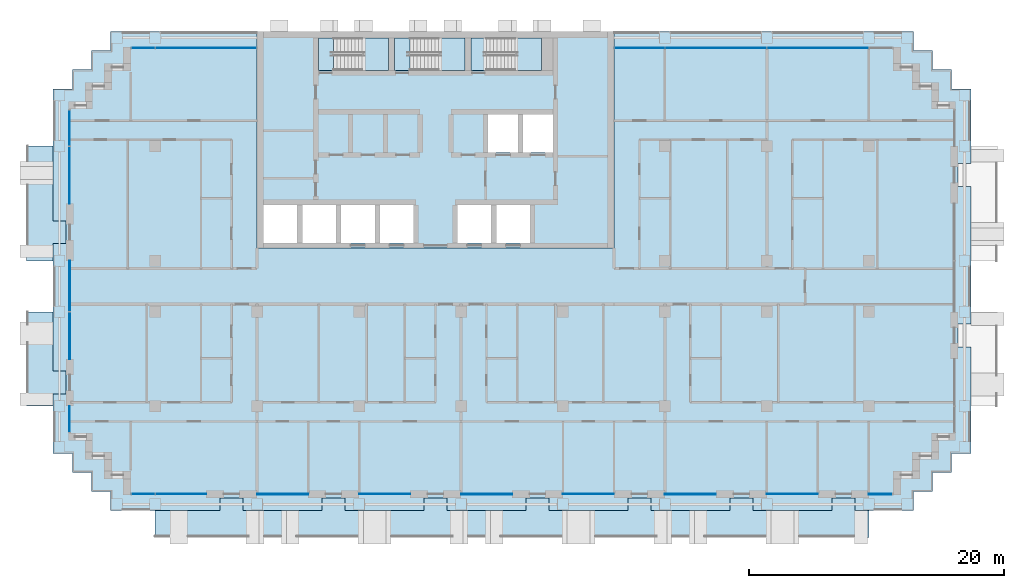
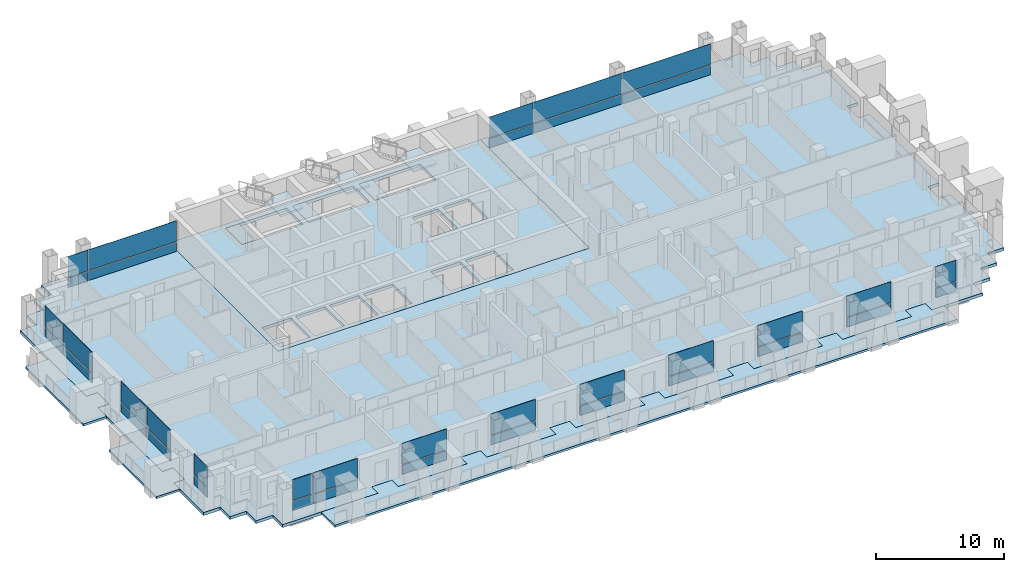
# One storey, part 7 of 17: 38 plates, 11 slabs, 16 elements without a shape of their own.
"""IFC4 building model written with IfcOpenShell, lengths in metres."""

from ifc_helpers import new_model, si_unit, direction, frame, origin, origin_2d, place, context, subcontext, project, spatial, polyline, rectangle, outline, extrude, material, layer, layer_set, type_object, element, aggregate, save


model = new_model("IFC4")

# Units and contexts
model_context = context("Model", 3, precision=1e-05, world=origin(), true_north=direction((0.0, 1.0)))
body_context = subcontext(model_context, "Body", "Model", "MODEL_VIEW")
ifc_project = project(units=[si_unit("LENGTHUNIT", "METRE"), si_unit("AREAUNIT", "SQUARE_METRE"), si_unit("VOLUMEUNIT", "CUBIC_METRE"), si_unit("PLANEANGLEUNIT", "RADIAN"), si_unit("MASSUNIT", "GRAM", prefix="KILO")], contexts=[model_context])

# Site, building, storey
site_placement = place(None, origin())
site = spatial("IfcSite", under=ifc_project, at=site_placement, CompositionType="ELEMENT")
building_placement = place(site_placement, origin())
building = spatial("IfcBuilding", under=site, at=building_placement, Name="Vidyagriha Tower", CompositionType="ELEMENT")
storey_placement = place(building_placement, frame((0.0, 0.0, 87.10009765625)))
storey = spatial("IfcBuildingStorey", under=building, at=storey_placement, Name="L22", CompositionType="ELEMENT", Elevation=87.10009765625)

# Curtain wall, plate
ifc_material_1 = material(Name="Aluminium and glass curtain wall", Category="aluminium")
curtain_wall_type = type_object("IfcCurtainWallType", Name="Dwelling skin unitised curtain wall", PredefinedType="USERDEFINED", material=ifc_material_1)
curtain_wall_1_placement = place(storey_placement, origin())
curtain_wall_1 = element("IfcCurtainWall", 1, at=curtain_wall_1_placement, inside=storey, type_object=curtain_wall_type, Name="CW1 dwelling skin", ObjectType="UNITISED", PredefinedType="USERDEFINED")
ifc_material_2 = material(Name="Glass dark ceramic-fritted spandrel", Category="glass")
ifc_layer_1 = layer(ifc_material_2, 0.0400390625)
ifc_layer_set_1 = layer_set([ifc_layer_1], Name="Glass dark ceramic-fritted spandrel")
plate_type_1 = type_object("IfcPlateType", Name="Ceramic-fritted spandrel panel", PredefinedType="CURTAIN_PANEL", material=ifc_layer_set_1)
plate_1_placement = place(storey_placement, frame((22.0, 18.699951171875, -0.000244140625), z_axis=(0.0, 0.0, 1.0), x_axis=(-1.0, 0.0, 0.0)))
plate_1 = element("IfcPlate", 2, at=plate_1_placement, type_object=plate_type_1, Name="CW1 panel 3.1", PredefinedType="CURTAIN_PANEL", context=body_context, shape_type="SweptSolid", body=[
    extrude(rectangle(XDim=7.929931640625, YDim=0.0400390625, at=origin_2d()), origin(), (0.0, 0.0, 1.0), 0.85009765625),
])

curtain_wall_2_placement = place(storey_placement, origin())
curtain_wall_2 = element("IfcCurtainWall", 3, at=curtain_wall_2_placement, inside=storey, type_object=curtain_wall_type, Name="CW1 dwelling skin", ObjectType="UNITISED", PredefinedType="USERDEFINED")
plate_2_placement = place(storey_placement, frame((-18.017578125, 18.699951171875, -0.000244140625), z_axis=(0.0, 0.0, 1.0), x_axis=(-1.0, 0.0, 0.0)))
plate_2 = element("IfcPlate", 4, at=plate_2_placement, type_object=plate_type_1, Name="CW1 panel 1.1", PredefinedType="CURTAIN_PANEL", context=body_context, shape_type="SweptSolid", body=[
    extrude(rectangle(XDim=7.89501953125, YDim=0.0400390625, at=origin_2d()), origin(), (0.0, 0.0, 1.0), 0.85009765625),
])

# Curtain wall, plates
curtain_wall_3_placement = place(storey_placement, origin())
curtain_wall_3 = element("IfcCurtainWall", 5, at=curtain_wall_3_placement, inside=storey, type_object=curtain_wall_type, Name="CW1 dwelling skin", ObjectType="UNITISED", PredefinedType="USERDEFINED")
plate_3_placement = place(storey_placement, frame((-28.699951171875, 12.4326171875, -0.000244140625), z_axis=(0.0, 0.0, 1.0), x_axis=(0.0, -1.0, 0.0)))
plate_3 = element("IfcPlate", 6, at=plate_3_placement, type_object=plate_type_1, Name="CW1 panel 1.1", PredefinedType="CURTAIN_PANEL", context=body_context, shape_type="SweptSolid", body=[
    extrude(rectangle(XDim=2.794921875, YDim=0.0400390625, at=origin_2d()), origin(), (0.0, 0.0, 1.0), 0.85009765625),
])
plate_4_placement = place(storey_placement, frame((-28.699951171875, 8.732421875, -0.000244140625), z_axis=(0.0, 0.0, 1.0), x_axis=(0.0, -1.0, 0.0)))
plate_4 = element("IfcPlate", 7, at=plate_4_placement, type_object=plate_type_1, Name="CW1 panel 2.1", PredefinedType="CURTAIN_PANEL", context=body_context, shape_type="SweptSolid", body=[
    extrude(rectangle(XDim=4.465087890625, YDim=0.0400390625, at=origin_2d()), origin(), (0.0, 0.0, 1.0), 0.85009765625),
])

# Curtain wall, plate
curtain_wall_4_placement = place(storey_placement, origin())
curtain_wall_4 = element("IfcCurtainWall", 8, at=curtain_wall_4_placement, inside=storey, type_object=curtain_wall_type, Name="CW1 dwelling skin", ObjectType="UNITISED", PredefinedType="USERDEFINED")
plate_5_placement = place(storey_placement, frame((-28.699951171875, -10.4150390625, -0.000244140625), z_axis=(0.0, 0.0, 1.0), x_axis=(0.0, -1.0, 0.0)))
plate_5 = element("IfcPlate", 9, at=plate_5_placement, type_object=plate_type_1, Name="CW1 panel 1.1", PredefinedType="CURTAIN_PANEL", context=body_context, shape_type="SweptSolid", body=[
    extrude(rectangle(XDim=2.030029296875, YDim=0.0400390625, at=origin_2d()), origin(), (0.0, 0.0, 1.0), 0.85009765625),
])

# Curtain wall, plates
curtain_wall_5_placement = place(storey_placement, origin())
curtain_wall_5 = element("IfcCurtainWall", 10, at=curtain_wall_5_placement, inside=storey, type_object=curtain_wall_type, Name="CW1 dwelling skin", ObjectType="UNITISED", PredefinedType="USERDEFINED")
plate_6_placement = place(storey_placement, frame((-22.9326171875, -16.300048828125, -0.000244140625)))
plate_6 = element("IfcPlate", 11, at=plate_6_placement, type_object=plate_type_1, Name="CW1 panel 1.1", PredefinedType="CURTAIN_PANEL", context=body_context, shape_type="SweptSolid", body=[
    extrude(rectangle(XDim=1.794921875, YDim=0.0400390625, at=origin_2d()), origin(), (0.0, 0.0, 1.0), 0.85009765625),
])
plate_7_placement = place(storey_placement, frame((-19.982421875, -16.300048828125, -0.000244140625)))
plate_7 = element("IfcPlate", 12, at=plate_7_placement, type_object=plate_type_1, Name="CW1 panel 2.1", PredefinedType="CURTAIN_PANEL", context=body_context, shape_type="SweptSolid", body=[
    extrude(rectangle(XDim=3.965087890625, YDim=0.0400390625, at=origin_2d()), origin(), (0.0, 0.0, 1.0), 0.85009765625),
])

# Curtain wall, plate
curtain_wall_6_placement = place(storey_placement, origin())
curtain_wall_6 = element("IfcCurtainWall", 13, at=curtain_wall_6_placement, inside=storey, type_object=curtain_wall_type, Name="CW1 dwelling skin", ObjectType="UNITISED", PredefinedType="USERDEFINED")
plate_8_placement = place(storey_placement, frame((-4.0, -16.300048828125, -0.000244140625)))
plate_8 = element("IfcPlate", 14, at=plate_8_placement, type_object=plate_type_1, Name="CW1 panel 1.1", PredefinedType="CURTAIN_PANEL", context=body_context, shape_type="SweptSolid", body=[
    extrude(rectangle(XDim=4.0, YDim=0.0400390625, at=origin_2d()), origin(), (0.0, 0.0, 1.0), 0.85009765625),
])

curtain_wall_7_placement = place(storey_placement, origin())
curtain_wall_7 = element("IfcCurtainWall", 15, at=curtain_wall_7_placement, inside=storey, type_object=curtain_wall_type, Name="CW1 dwelling skin", ObjectType="UNITISED", PredefinedType="USERDEFINED")
plate_9_placement = place(storey_placement, frame((12.0, -16.300048828125, -0.000244140625)))
plate_9 = element("IfcPlate", 16, at=plate_9_placement, type_object=plate_type_1, Name="CW1 panel 1.1", PredefinedType="CURTAIN_PANEL", context=body_context, shape_type="SweptSolid", body=[
    extrude(rectangle(XDim=4.0, YDim=0.0400390625, at=origin_2d()), origin(), (0.0, 0.0, 1.0), 0.85009765625),
])

curtain_wall_8_placement = place(storey_placement, origin())
curtain_wall_8 = element("IfcCurtainWall", 17, at=curtain_wall_8_placement, inside=storey, type_object=curtain_wall_type, Name="CW1 dwelling skin", ObjectType="UNITISED", PredefinedType="USERDEFINED")
plate_10_placement = place(storey_placement, frame((28.0, -16.300048828125, -0.000244140625)))
plate_10 = element("IfcPlate", 18, at=plate_10_placement, type_object=plate_type_1, Name="CW1 panel 1.1", PredefinedType="CURTAIN_PANEL", context=body_context, shape_type="SweptSolid", body=[
    extrude(rectangle(XDim=4.0, YDim=0.0400390625, at=origin_2d()), origin(), (0.0, 0.0, 1.0), 0.85009765625),
])

# Slab
ifc_material_3 = material(Name="Concrete C60/75", Category="concrete")
ifc_layer_2 = layer(ifc_material_3, 0.280029296875)
ifc_layer_set_2 = layer_set([ifc_layer_2], Name="Concrete C60/75")
slab_type_1 = type_object("IfcSlabType", Name="Core floor slab 280 mm", PredefinedType="FLOOR", material=ifc_layer_set_2)
slab_1_placement = place(storey_placement, frame((0.0, 0.0, -0.280029296875)))
element("IfcSlab", 19, at=slab_1_placement, inside=storey, type_object=slab_type_1, Name="L22 core floor 1", PredefinedType="FLOOR", context=body_context, shape_type="SweptSolid", body=[
    extrude(outline(polyline([(-14.0, 3.0), (-14.0, 20.0), (14.0, 20.0), (14.0, 3.0), (-14.0, 3.0)]), holes=[polyline([(9.199951171875, 13.5), (6.86669921875, 13.5), (6.86669921875, 10.5), (9.199951171875, 10.5), (9.199951171875, 13.5)]), polyline([(4.0, 19.5), (2.800048828125, 19.5), (2.800048828125, 16.949951171875), (4.0, 16.949951171875), (8.300048828125, 16.949951171875), (8.300048828125, 19.5), (4.0, 19.5)]), polyline([(7.4111328125, 6.39990234375), (4.7666015625, 6.39990234375), (4.7666015625, 3.39990234375), (7.4111328125, 3.39990234375), (7.4111328125, 6.39990234375)]), polyline([(6.466796875, 13.5), (4.13330078125, 13.5), (4.13330078125, 10.5), (6.466796875, 10.5), (6.466796875, 13.5)]), polyline([(1.72216796875, 6.39990234375), (1.72216796875, 3.39990234375), (4.36669921875, 3.39990234375), (4.36669921875, 6.39990234375), (1.72216796875, 6.39990234375)]), polyline([(-2.0, 16.949951171875), (2.300048828125, 16.949951171875), (2.300048828125, 19.5), (-2.0, 19.5), (-3.199951171875, 19.5), (-3.199951171875, 16.949951171875), (-2.0, 16.949951171875)]), polyline([(-1.72216796875, 6.39990234375), (-4.36669921875, 6.39990234375), (-4.36669921875, 3.39990234375), (-1.72216796875, 3.39990234375), (-1.72216796875, 6.39990234375)]), polyline([(-8.0, 19.5), (-9.199951171875, 19.5), (-9.199951171875, 16.949951171875), (-8.0, 16.949951171875), (-3.699951171875, 16.949951171875), (-3.699951171875, 19.5), (-8.0, 19.5)]), polyline([(-4.7666015625, 6.39990234375), (-7.4111328125, 6.39990234375), (-7.4111328125, 3.39990234375), (-4.7666015625, 3.39990234375), (-4.7666015625, 6.39990234375)]), polyline([(-7.81103515625, 6.39990234375), (-10.45556640625, 6.39990234375), (-10.45556640625, 3.39990234375), (-7.81103515625, 3.39990234375), (-7.81103515625, 6.39990234375)]), polyline([(-13.5, 6.39990234375), (-13.5, 3.39990234375), (-10.855712890625, 3.39990234375), (-10.855712890625, 6.39990234375), (-13.5, 6.39990234375)])]), origin(), (0.0, 0.0, 1.0), 0.280029296875),
])

# Plate
ifc_material_4 = material(Name="Glass dark ceramic-fritted", Category="glass")
ifc_layer_3 = layer(ifc_material_4, 0.028076171875)
ifc_layer_set_3 = layer_set([ifc_layer_3], Name="Glass dark ceramic-fritted")
plate_type_2 = type_object("IfcPlateType", Name="Dark ceramic-fritted vision glass panel", PredefinedType="CURTAIN_PANEL", material=ifc_layer_set_3)
plate_11_placement = place(storey_placement, frame((30.0, 18.699951171875, 0.94970703125), z_axis=(0.0, 0.0, 1.0), x_axis=(-1.0, 0.0, 0.0)))
plate_11 = element("IfcPlate", 20, at=plate_11_placement, type_object=plate_type_2, Name="CW1 panel 2.2", PredefinedType="CURTAIN_PANEL", context=body_context, shape_type="SweptSolid", body=[
    extrude(rectangle(XDim=7.929931640625, YDim=0.028076171875, at=origin_2d()), origin(), (0.0, 0.0, 1.0), 1.969970703125),
])

plate_12_placement = place(storey_placement, frame((22.0, 18.699951171875, 0.94970703125), z_axis=(0.0, 0.0, 1.0), x_axis=(-1.0, 0.0, 0.0)))
plate_12 = element("IfcPlate", 21, at=plate_12_placement, type_object=plate_type_2, Name="CW1 panel 3.2", PredefinedType="CURTAIN_PANEL", context=body_context, shape_type="SweptSolid", body=[
    extrude(rectangle(XDim=7.929931640625, YDim=0.028076171875, at=origin_2d()), origin(), (0.0, 0.0, 1.0), 1.969970703125),
])

plate_13_placement = place(storey_placement, frame((16.017578125, 18.699951171875, 0.94970703125), z_axis=(0.0, 0.0, 1.0), x_axis=(-1.0, 0.0, 0.0)))
plate_13 = element("IfcPlate", 22, at=plate_13_placement, type_object=plate_type_2, Name="CW1 panel 4.2", PredefinedType="CURTAIN_PANEL", context=body_context, shape_type="SweptSolid", body=[
    extrude(rectangle(XDim=3.89501953125, YDim=0.028076171875, at=origin_2d()), origin(), (0.0, 0.0, 1.0), 1.969970703125),
])

plate_14_placement = place(storey_placement, frame((-18.017578125, 18.699951171875, 0.94970703125), z_axis=(0.0, 0.0, 1.0), x_axis=(-1.0, 0.0, 0.0)))
plate_14 = element("IfcPlate", 23, at=plate_14_placement, type_object=plate_type_2, Name="CW1 panel 1.2", PredefinedType="CURTAIN_PANEL", context=body_context, shape_type="SweptSolid", body=[
    extrude(rectangle(XDim=7.89501953125, YDim=0.028076171875, at=origin_2d()), origin(), (0.0, 0.0, 1.0), 1.969970703125),
])

plate_15_placement = place(storey_placement, frame((-22.9326171875, 18.699951171875, 0.94970703125), z_axis=(0.0, 0.0, 1.0), x_axis=(-1.0, 0.0, 0.0)))
plate_15 = element("IfcPlate", 24, at=plate_15_placement, type_object=plate_type_2, Name="CW1 panel 2.2", PredefinedType="CURTAIN_PANEL", context=body_context, shape_type="SweptSolid", body=[
    extrude(rectangle(XDim=1.794921875, YDim=0.028076171875, at=origin_2d()), origin(), (0.0, 0.0, 1.0), 1.969970703125),
])

plate_16_placement = place(storey_placement, frame((-28.699951171875, 12.4326171875, 0.94970703125), z_axis=(0.0, 0.0, 1.0), x_axis=(0.0, -1.0, 0.0)))
plate_16 = element("IfcPlate", 25, at=plate_16_placement, type_object=plate_type_2, Name="CW1 panel 1.2", PredefinedType="CURTAIN_PANEL", context=body_context, shape_type="SweptSolid", body=[
    extrude(rectangle(XDim=2.794921875, YDim=0.028076171875, at=origin_2d()), origin(), (0.0, 0.0, 1.0), 1.969970703125),
])

plate_17_placement = place(storey_placement, frame((-28.699951171875, 8.732421875, 0.94970703125), z_axis=(0.0, 0.0, 1.0), x_axis=(0.0, -1.0, 0.0)))
plate_17 = element("IfcPlate", 26, at=plate_17_placement, type_object=plate_type_2, Name="CW1 panel 2.2", PredefinedType="CURTAIN_PANEL", context=body_context, shape_type="SweptSolid", body=[
    extrude(rectangle(XDim=4.465087890625, YDim=0.028076171875, at=origin_2d()), origin(), (0.0, 0.0, 1.0), 1.969970703125),
])

aggregate(curtain_wall_3, [plate_3, plate_16, plate_4, plate_17])

# Curtain wall, plates
curtain_wall_9_placement = place(storey_placement, origin())
curtain_wall_9 = element("IfcCurtainWall", 27, at=curtain_wall_9_placement, inside=storey, type_object=curtain_wall_type, Name="CW1 dwelling skin", ObjectType="UNITISED", PredefinedType="USERDEFINED")
plate_18_placement = place(storey_placement, frame((-28.699951171875, 0.017578125, 0.94970703125), z_axis=(0.0, 0.0, 1.0), x_axis=(0.0, -1.0, 0.0)))
plate_18 = element("IfcPlate", 28, at=plate_18_placement, type_object=plate_type_2, Name="CW1 panel 1.2", PredefinedType="CURTAIN_PANEL", context=body_context, shape_type="SweptSolid", body=[
    extrude(rectangle(XDim=3.965087890625, YDim=0.028076171875, at=origin_2d()), origin(), (0.0, 0.0, 1.0), 1.969970703125),
])
plate_19_placement = place(storey_placement, frame((-28.699951171875, -3.867431640625, 0.94970703125), z_axis=(0.0, 0.0, 1.0), x_axis=(0.0, -1.0, 0.0)))
plate_19 = element("IfcPlate", 29, at=plate_19_placement, type_object=plate_type_2, Name="CW1 panel 2.2", PredefinedType="CURTAIN_PANEL", context=body_context, shape_type="SweptSolid", body=[
    extrude(rectangle(XDim=3.6650390625, YDim=0.028076171875, at=origin_2d()), origin(), (0.0, 0.0, 1.0), 1.969970703125),
])

# Plate
plate_20_placement = place(storey_placement, frame((-28.699951171875, -10.4150390625, 0.94970703125), z_axis=(0.0, 0.0, 1.0), x_axis=(0.0, -1.0, 0.0)))
plate_20 = element("IfcPlate", 30, at=plate_20_placement, type_object=plate_type_2, Name="CW1 panel 1.2", PredefinedType="CURTAIN_PANEL", context=body_context, shape_type="SweptSolid", body=[
    extrude(rectangle(XDim=2.030029296875, YDim=0.028076171875, at=origin_2d()), origin(), (0.0, 0.0, 1.0), 1.969970703125),
])

aggregate(curtain_wall_4, [plate_5, plate_20])

plate_21_placement = place(storey_placement, frame((-22.9326171875, -16.300048828125, 0.94970703125)))
plate_21 = element("IfcPlate", 31, at=plate_21_placement, type_object=plate_type_2, Name="CW1 panel 1.2", PredefinedType="CURTAIN_PANEL", context=body_context, shape_type="SweptSolid", body=[
    extrude(rectangle(XDim=1.794921875, YDim=0.028076171875, at=origin_2d()), origin(), (0.0, 0.0, 1.0), 1.969970703125),
])

plate_22_placement = place(storey_placement, frame((-19.982421875, -16.300048828125, 0.94970703125)))
plate_22 = element("IfcPlate", 32, at=plate_22_placement, type_object=plate_type_2, Name="CW1 panel 2.2", PredefinedType="CURTAIN_PANEL", context=body_context, shape_type="SweptSolid", body=[
    extrude(rectangle(XDim=3.965087890625, YDim=0.028076171875, at=origin_2d()), origin(), (0.0, 0.0, 1.0), 1.969970703125),
])

aggregate(curtain_wall_5, [plate_6, plate_21, plate_7, plate_22])

# Curtain wall, plate
curtain_wall_10_placement = place(storey_placement, origin())
curtain_wall_10 = element("IfcCurtainWall", 33, at=curtain_wall_10_placement, inside=storey, type_object=curtain_wall_type, Name="CW1 dwelling skin", ObjectType="UNITISED", PredefinedType="USERDEFINED")
plate_23_placement = place(storey_placement, frame((-12.0, -16.300048828125, 0.94970703125)))
plate_23 = element("IfcPlate", 34, at=plate_23_placement, type_object=plate_type_2, Name="CW1 panel 1.2", PredefinedType="CURTAIN_PANEL", context=body_context, shape_type="SweptSolid", body=[
    extrude(rectangle(XDim=4.0, YDim=0.028076171875, at=origin_2d()), origin(), (0.0, 0.0, 1.0), 1.969970703125),
])

# Plate
plate_24_placement = place(storey_placement, frame((-4.0, -16.300048828125, 0.94970703125)))
plate_24 = element("IfcPlate", 35, at=plate_24_placement, type_object=plate_type_2, Name="CW1 panel 1.2", PredefinedType="CURTAIN_PANEL", context=body_context, shape_type="SweptSolid", body=[
    extrude(rectangle(XDim=4.0, YDim=0.028076171875, at=origin_2d()), origin(), (0.0, 0.0, 1.0), 1.969970703125),
])

aggregate(curtain_wall_6, [plate_8, plate_24])

# Curtain wall, plate
curtain_wall_11_placement = place(storey_placement, origin())
curtain_wall_11 = element("IfcCurtainWall", 36, at=curtain_wall_11_placement, inside=storey, type_object=curtain_wall_type, Name="CW1 dwelling skin", ObjectType="UNITISED", PredefinedType="USERDEFINED")
plate_25_placement = place(storey_placement, frame((4.0, -16.300048828125, 0.94970703125)))
plate_25 = element("IfcPlate", 37, at=plate_25_placement, type_object=plate_type_2, Name="CW1 panel 1.2", PredefinedType="CURTAIN_PANEL", context=body_context, shape_type="SweptSolid", body=[
    extrude(rectangle(XDim=4.0, YDim=0.028076171875, at=origin_2d()), origin(), (0.0, 0.0, 1.0), 1.969970703125),
])

# Plate
plate_26_placement = place(storey_placement, frame((12.0, -16.300048828125, 0.94970703125)))
plate_26 = element("IfcPlate", 38, at=plate_26_placement, type_object=plate_type_2, Name="CW1 panel 1.2", PredefinedType="CURTAIN_PANEL", context=body_context, shape_type="SweptSolid", body=[
    extrude(rectangle(XDim=4.0, YDim=0.028076171875, at=origin_2d()), origin(), (0.0, 0.0, 1.0), 1.969970703125),
])

aggregate(curtain_wall_7, [plate_9, plate_26])

# Curtain wall, plate
curtain_wall_12_placement = place(storey_placement, origin())
curtain_wall_12 = element("IfcCurtainWall", 39, at=curtain_wall_12_placement, inside=storey, type_object=curtain_wall_type, Name="CW1 dwelling skin", ObjectType="UNITISED", PredefinedType="USERDEFINED")
plate_27_placement = place(storey_placement, frame((20.0, -16.300048828125, 0.94970703125)))
plate_27 = element("IfcPlate", 40, at=plate_27_placement, type_object=plate_type_2, Name="CW1 panel 1.2", PredefinedType="CURTAIN_PANEL", context=body_context, shape_type="SweptSolid", body=[
    extrude(rectangle(XDim=4.0, YDim=0.028076171875, at=origin_2d()), origin(), (0.0, 0.0, 1.0), 1.969970703125),
])

# Plate
plate_28_placement = place(storey_placement, frame((28.0, -16.300048828125, 0.94970703125)))
plate_28 = element("IfcPlate", 41, at=plate_28_placement, type_object=plate_type_2, Name="CW1 panel 1.2", PredefinedType="CURTAIN_PANEL", context=body_context, shape_type="SweptSolid", body=[
    extrude(rectangle(XDim=4.0, YDim=0.028076171875, at=origin_2d()), origin(), (0.0, 0.0, 1.0), 1.969970703125),
])

aggregate(curtain_wall_8, [plate_10, plate_28])

# Curtain wall, plate
curtain_wall_13_placement = place(storey_placement, origin())
curtain_wall_13 = element("IfcCurtainWall", 42, at=curtain_wall_13_placement, inside=storey, type_object=curtain_wall_type, Name="CW1 dwelling skin", ObjectType="UNITISED", PredefinedType="USERDEFINED")
plate_29_placement = place(storey_placement, frame((34.9150390625, -16.300048828125, 0.94970703125)))
plate_29 = element("IfcPlate", 43, at=plate_29_placement, type_object=plate_type_2, Name="CW1 panel 1.2", PredefinedType="CURTAIN_PANEL", context=body_context, shape_type="SweptSolid", body=[
    extrude(rectangle(XDim=1.830078125, YDim=0.028076171875, at=origin_2d()), origin(), (0.0, 0.0, 1.0), 1.969970703125),
])

# Slabs
ifc_material_5 = material(Name="Concrete C40/50", Category="concrete")
ifc_layer_4 = layer(ifc_material_5, 0.280029296875)
ifc_layer_set_4 = layer_set([ifc_layer_4], Name="Concrete C40/50")
slab_type_2 = type_object("IfcSlabType", Name="Exit stair floor landing 280 mm", PredefinedType="LANDING", material=ifc_layer_set_4)
slab_2_placement = place(storey_placement, frame((0.0, 0.0, -0.280029296875)))
element("IfcSlab", 44, at=slab_2_placement, inside=storey, type_object=slab_type_2, Name="ST1 floor landing L22", PredefinedType="LANDING", context=body_context, shape_type="SweptSolid", body=[
    extrude(outline(polyline([(-9.199951171875, 16.949951171875), (-8.0, 16.949951171875), (-8.0, 19.5), (-9.199951171875, 19.5), (-9.199951171875, 16.949951171875)])), origin(), (0.0, 0.0, 1.0), 0.280029296875),
])
slab_3_placement = place(storey_placement, frame((0.0, 0.0, -0.280029296875)))
element("IfcSlab", 45, at=slab_3_placement, inside=storey, type_object=slab_type_2, Name="ST2 floor landing L22", PredefinedType="LANDING", context=body_context, shape_type="SweptSolid", body=[
    extrude(outline(polyline([(-3.199951171875, 16.949951171875), (-2.0, 16.949951171875), (-2.0, 19.5), (-3.199951171875, 19.5), (-3.199951171875, 16.949951171875)])), origin(), (0.0, 0.0, 1.0), 0.280029296875),
])
slab_4_placement = place(storey_placement, frame((0.0, 0.0, -0.280029296875)))
element("IfcSlab", 46, at=slab_4_placement, inside=storey, type_object=slab_type_2, Name="ST3 floor landing L22", PredefinedType="LANDING", context=body_context, shape_type="SweptSolid", body=[
    extrude(outline(polyline([(2.800048828125, 16.949951171875), (4.0, 16.949951171875), (4.0, 19.5), (2.800048828125, 19.5), (2.800048828125, 16.949951171875)])), origin(), (0.0, 0.0, 1.0), 0.280029296875),
])

# Stair, slab
ifc_material_6 = material(Name="Concrete C40/50", Category="concrete")
stair_type = type_object("IfcStairType", Name="Exit stair, half-turn, precast flights", PredefinedType="HALF_TURN_STAIR", material=ifc_material_6)
stair_1_placement = place(storey_placement, origin())
stair_1 = element("IfcStair", 47, at=stair_1_placement, inside=storey, type_object=stair_type, Name="L22 Exit Stair ST1", PredefinedType="HALF_TURN_STAIR")
ifc_material_7 = material(Name="Concrete C40/50", Category="concrete")
ifc_layer_5 = layer(ifc_material_7, 0.199951171875)
ifc_layer_set_5 = layer_set([ifc_layer_5], Name="Concrete C40/50")
slab_type_3 = type_object("IfcSlabType", Name="Exit stair landing 200 mm", PredefinedType="LANDING", material=ifc_layer_set_5)
slab_5_placement = place(storey_placement, frame((0.0, 0.0, 1.39990234375)))
slab_5 = element("IfcSlab", 48, at=slab_5_placement, type_object=slab_type_3, Name="ST1 landing 1", PredefinedType="LANDING", context=body_context, shape_type="SweptSolid", body=[
    extrude(outline(polyline([(-5.760009765625, 16.949951171875), (-3.699951171875, 16.949951171875), (-3.699951171875, 19.5), (-5.760009765625, 19.5), (-5.760009765625, 16.949951171875)])), origin(), (0.0, 0.0, 1.0), 0.199951171875),
])
aggregate(stair_1, [slab_5])

stair_2_placement = place(storey_placement, origin())
stair_2 = element("IfcStair", 49, at=stair_2_placement, inside=storey, type_object=stair_type, Name="L22 Exit Stair ST2", PredefinedType="HALF_TURN_STAIR")
slab_6_placement = place(storey_placement, frame((0.0, 0.0, 1.39990234375)))
slab_6 = element("IfcSlab", 50, at=slab_6_placement, type_object=slab_type_3, Name="ST2 landing 1", PredefinedType="LANDING", context=body_context, shape_type="SweptSolid", body=[
    extrude(outline(polyline([(0.239990234375, 16.949951171875), (2.300048828125, 16.949951171875), (2.300048828125, 19.5), (0.239990234375, 19.5), (0.239990234375, 16.949951171875)])), origin(), (0.0, 0.0, 1.0), 0.199951171875),
])
aggregate(stair_2, [slab_6])

stair_3_placement = place(storey_placement, origin())
stair_3 = element("IfcStair", 51, at=stair_3_placement, inside=storey, type_object=stair_type, Name="L22 Exit Stair ST3", PredefinedType="HALF_TURN_STAIR")
slab_7_placement = place(storey_placement, frame((0.0, 0.0, 1.39990234375)))
slab_7 = element("IfcSlab", 52, at=slab_7_placement, type_object=slab_type_3, Name="ST3 landing 1", PredefinedType="LANDING", context=body_context, shape_type="SweptSolid", body=[
    extrude(outline(polyline([(6.239990234375, 16.949951171875), (8.300048828125, 16.949951171875), (8.300048828125, 19.5), (6.239990234375, 19.5), (6.239990234375, 16.949951171875)])), origin(), (0.0, 0.0, 1.0), 0.199951171875),
])
aggregate(stair_3, [slab_7])

# Plate
ifc_material_8 = material(Name="Aluminium black anodised", Category="aluminium")
ifc_layer_6 = layer(ifc_material_8, 0.06005859375)
ifc_layer_set_6 = layer_set([ifc_layer_6], Name="Aluminium black anodised")
plate_type_3 = type_object("IfcPlateType", Name="Operable black-metal vent panel", PredefinedType="CURTAIN_PANEL", material=ifc_layer_set_6)
plate_30_placement = place(storey_placement, frame((30.0, 18.699951171875, -0.000244140625), z_axis=(0.0, 0.0, 1.0), x_axis=(-1.0, 0.0, 0.0)))
plate_30 = element("IfcPlate", 53, at=plate_30_placement, type_object=plate_type_3, Name="CW1 panel 2.1", PredefinedType="CURTAIN_PANEL", context=body_context, shape_type="SweptSolid", body=[
    extrude(rectangle(XDim=7.929931640625, YDim=0.06005859375, at=origin_2d()), origin(), (0.0, 0.0, 1.0), 0.85009765625),
])

plate_31_placement = place(storey_placement, frame((16.017578125, 18.699951171875, -0.000244140625), z_axis=(0.0, 0.0, 1.0), x_axis=(-1.0, 0.0, 0.0)))
plate_31 = element("IfcPlate", 54, at=plate_31_placement, type_object=plate_type_3, Name="CW1 panel 4.1", PredefinedType="CURTAIN_PANEL", context=body_context, shape_type="SweptSolid", body=[
    extrude(rectangle(XDim=3.89501953125, YDim=0.06005859375, at=origin_2d()), origin(), (0.0, 0.0, 1.0), 0.85009765625),
])

aggregate(curtain_wall_1, [plate_30, plate_11, plate_1, plate_12, plate_31, plate_13])

plate_32_placement = place(storey_placement, frame((-22.9326171875, 18.699951171875, -0.000244140625), z_axis=(0.0, 0.0, 1.0), x_axis=(-1.0, 0.0, 0.0)))
plate_32 = element("IfcPlate", 55, at=plate_32_placement, type_object=plate_type_3, Name="CW1 panel 2.1", PredefinedType="CURTAIN_PANEL", context=body_context, shape_type="SweptSolid", body=[
    extrude(rectangle(XDim=1.794921875, YDim=0.06005859375, at=origin_2d()), origin(), (0.0, 0.0, 1.0), 0.85009765625),
])

aggregate(curtain_wall_2, [plate_2, plate_14, plate_32, plate_15])

plate_33_placement = place(storey_placement, frame((-28.699951171875, 0.017578125, -0.000244140625), z_axis=(0.0, 0.0, 1.0), x_axis=(0.0, -1.0, 0.0)))
plate_33 = element("IfcPlate", 56, at=plate_33_placement, type_object=plate_type_3, Name="CW1 panel 1.1", PredefinedType="CURTAIN_PANEL", context=body_context, shape_type="SweptSolid", body=[
    extrude(rectangle(XDim=3.965087890625, YDim=0.06005859375, at=origin_2d()), origin(), (0.0, 0.0, 1.0), 0.85009765625),
])

plate_34_placement = place(storey_placement, frame((-28.699951171875, -3.867431640625, -0.000244140625), z_axis=(0.0, 0.0, 1.0), x_axis=(0.0, -1.0, 0.0)))
plate_34 = element("IfcPlate", 57, at=plate_34_placement, type_object=plate_type_3, Name="CW1 panel 2.1", PredefinedType="CURTAIN_PANEL", context=body_context, shape_type="SweptSolid", body=[
    extrude(rectangle(XDim=3.6650390625, YDim=0.06005859375, at=origin_2d()), origin(), (0.0, 0.0, 1.0), 0.85009765625),
])

aggregate(curtain_wall_9, [plate_33, plate_18, plate_34, plate_19])

plate_35_placement = place(storey_placement, frame((-12.0, -16.300048828125, -0.000244140625)))
plate_35 = element("IfcPlate", 58, at=plate_35_placement, type_object=plate_type_3, Name="CW1 panel 1.1", PredefinedType="CURTAIN_PANEL", context=body_context, shape_type="SweptSolid", body=[
    extrude(rectangle(XDim=4.0, YDim=0.06005859375, at=origin_2d()), origin(), (0.0, 0.0, 1.0), 0.85009765625),
])

aggregate(curtain_wall_10, [plate_35, plate_23])

plate_36_placement = place(storey_placement, frame((4.0, -16.300048828125, -0.000244140625)))
plate_36 = element("IfcPlate", 59, at=plate_36_placement, type_object=plate_type_3, Name="CW1 panel 1.1", PredefinedType="CURTAIN_PANEL", context=body_context, shape_type="SweptSolid", body=[
    extrude(rectangle(XDim=4.0, YDim=0.06005859375, at=origin_2d()), origin(), (0.0, 0.0, 1.0), 0.85009765625),
])

aggregate(curtain_wall_11, [plate_36, plate_25])

plate_37_placement = place(storey_placement, frame((20.0, -16.300048828125, -0.000244140625)))
plate_37 = element("IfcPlate", 60, at=plate_37_placement, type_object=plate_type_3, Name="CW1 panel 1.1", PredefinedType="CURTAIN_PANEL", context=body_context, shape_type="SweptSolid", body=[
    extrude(rectangle(XDim=4.0, YDim=0.06005859375, at=origin_2d()), origin(), (0.0, 0.0, 1.0), 0.85009765625),
])

aggregate(curtain_wall_12, [plate_37, plate_27])

plate_38_placement = place(storey_placement, frame((34.9150390625, -16.300048828125, -0.000244140625)))
plate_38 = element("IfcPlate", 61, at=plate_38_placement, type_object=plate_type_3, Name="CW1 panel 1.1", PredefinedType="CURTAIN_PANEL", context=body_context, shape_type="SweptSolid", body=[
    extrude(rectangle(XDim=1.830078125, YDim=0.06005859375, at=origin_2d()), origin(), (0.0, 0.0, 1.0), 0.85009765625),
])

aggregate(curtain_wall_13, [plate_38, plate_29])

# Slabs
ifc_material_9 = material(Name="Concrete C50/60", Category="concrete")
ifc_layer_7 = layer(ifc_material_9, 0.280029296875)
ifc_layer_set_7 = layer_set([ifc_layer_7], Name="Concrete C50/60")
slab_type_4 = type_object("IfcSlabType", Name="Post-tensioned flat plate 280", PredefinedType="FLOOR", material=ifc_layer_set_7)
slab_8_placement = place(storey_placement, frame((0.0, 0.0, -0.280029296875)))
element("IfcSlab", 62, at=slab_8_placement, inside=storey, type_object=slab_type_4, Name="st-slab-L22-1", PredefinedType="FLOOR", context=body_context, shape_type="SweptSolid", body=[
    extrude(outline(polyline([(40.5, -14.60009765625), (39.0, -14.60009765625), (39.0, -16.10009765625), (37.5, -16.10009765625), (37.5, -17.60009765625), (32.89990234375, -17.60009765625), (32.89990234375, -16.60009765625), (31.10009765625, -16.60009765625), (31.10009765625, -17.60009765625), (24.89990234375, -17.60009765625), (24.89990234375, -16.60009765625), (23.10009765625, -16.60009765625), (23.10009765625, -17.60009765625), (16.89990234375, -17.60009765625), (16.89990234375, -16.60009765625), (15.10009765625, -16.60009765625), (15.10009765625, -17.60009765625), (8.89990234375, -17.60009765625), (8.89990234375, -16.60009765625), (7.10009765625, -16.60009765625), (7.10009765625, -17.60009765625), (0.89990234375, -17.60009765625), (0.89990234375, -16.60009765625), (-0.89990234375, -16.60009765625), (-0.89990234375, -17.60009765625), (-7.10009765625, -17.60009765625), (-7.10009765625, -16.60009765625), (-8.89990234375, -16.60009765625), (-8.89990234375, -17.60009765625), (-15.10009765625, -17.60009765625), (-15.10009765625, -16.60009765625), (-16.89990234375, -16.60009765625), (-16.89990234375, -17.60009765625), (-25.5, -17.60009765625), (-25.5, -16.10009765625), (-27.0, -16.10009765625), (-27.0, -14.60009765625), (-28.5, -14.60009765625), (-28.5, -13.10009765625), (-30.0, -13.10009765625), (-30.0, -8.449951171875), (-29.0, -8.449951171875), (-29.0, -6.64990234375), (-30.0, -6.64990234375), (-30.0, 3.35009765625), (-29.0, 3.35009765625), (-29.0, 5.14990234375), (-30.0, 5.14990234375), (-30.0, 15.5), (-28.5, 15.5), (-28.5, 17.0), (-27.0, 17.0), (-27.0, 18.5), (-25.5, 18.5), (-25.5, 20.0), (-14.0, 20.0), (-14.0, 3.0), (14.0, 3.0), (14.0, 20.0), (37.5, 20.0), (37.5, 18.5), (39.0, 18.5), (39.0, 17.0), (40.5, 17.0), (40.5, 15.5), (42.0, 15.5), (42.0, 9.64990234375), (41.0, 9.64990234375), (41.0, 7.85009765625), (42.0, 7.85009765625), (42.0, -2.949951171875), (41.0, -2.949951171875), (41.0, -4.75), (42.0, -4.75), (42.0, -13.10009765625), (40.5, -13.10009765625), (40.5, -14.60009765625)])), origin(), (0.0, 0.0, 1.0), 0.280029296875),
])
ifc_material_10 = material(Name="Precast concrete C40/50", Category="concrete")
ifc_layer_8 = layer(ifc_material_10, 0.199951171875)
ifc_layer_set_8 = layer_set([ifc_layer_8], Name="Precast concrete C40/50")
slab_type_5 = type_object("IfcSlabType", Name="Precast balcony slab 200", PredefinedType="USERDEFINED", material=ifc_layer_set_8)
slab_9_placement = place(storey_placement, frame((0.0, 0.0, -0.2001953125)))
element("IfcSlab", 63, at=slab_9_placement, inside=storey, type_object=slab_type_5, Name="Balcony slab L22 R16.1-1", ObjectType="BALCONY", PredefinedType="USERDEFINED", context=body_context, shape_type="SweptSolid", body=[
    extrude(outline(polyline([(-29.0, 3.35009765625), (-29.0, 5.14990234375), (-30.0, 5.14990234375), (-30.0, 11.0), (-32.10009765625, 11.0), (-32.10009765625, 2.0), (-30.0, 2.0), (-30.0, 3.35009765625), (-29.0, 3.35009765625)])), origin(), (0.0, 0.0, 1.0), 0.2001953125),
])
slab_10_placement = place(storey_placement, frame((0.0, 0.0, -0.2001953125)))
element("IfcSlab", 64, at=slab_10_placement, inside=storey, type_object=slab_type_5, Name="Balcony slab L22 R16.2-2", ObjectType="BALCONY", PredefinedType="USERDEFINED", context=body_context, shape_type="SweptSolid", body=[
    extrude(outline(polyline([(-29.0, -8.449951171875), (-29.0, -6.64990234375), (-30.0, -6.64990234375), (-30.0, -2.0), (-32.10009765625, -2.0), (-32.10009765625, -9.39990234375), (-30.0, -9.39990234375), (-30.0, -8.449951171875), (-29.0, -8.449951171875)])), origin(), (0.0, 0.0, 1.0), 0.2001953125),
])
slab_11_placement = place(storey_placement, frame((0.0, 0.0, -0.2001953125)))
element("IfcSlab", 65, at=slab_11_placement, inside=storey, type_object=slab_type_5, Name="Balcony slab L22 R23.1-7", ObjectType="BALCONY", PredefinedType="USERDEFINED", context=body_context, shape_type="SweptSolid", body=[
    extrude(outline(polyline([(-15.10009765625, -16.60009765625), (-16.89990234375, -16.60009765625), (-16.89990234375, -17.60009765625), (-22.0, -17.60009765625), (-22.0, -19.699951171875), (34.0, -19.699951171875), (34.0, -17.60009765625), (32.89990234375, -17.60009765625), (32.89990234375, -16.60009765625), (31.10009765625, -16.60009765625), (31.10009765625, -17.60009765625), (24.89990234375, -17.60009765625), (24.89990234375, -16.60009765625), (23.10009765625, -16.60009765625), (23.10009765625, -17.60009765625), (16.89990234375, -17.60009765625), (16.89990234375, -16.60009765625), (15.10009765625, -16.60009765625), (15.10009765625, -17.60009765625), (8.89990234375, -17.60009765625), (8.89990234375, -16.60009765625), (7.10009765625, -16.60009765625), (7.10009765625, -17.60009765625), (0.89990234375, -17.60009765625), (0.89990234375, -16.60009765625), (-0.89990234375, -16.60009765625), (-0.89990234375, -17.60009765625), (-7.10009765625, -17.60009765625), (-7.10009765625, -16.60009765625), (-8.89990234375, -16.60009765625), (-8.89990234375, -17.60009765625), (-15.10009765625, -17.60009765625), (-15.10009765625, -16.60009765625)])), origin(), (0.0, 0.0, 1.0), 0.2001953125),
])

save(model, "model.ifc")
